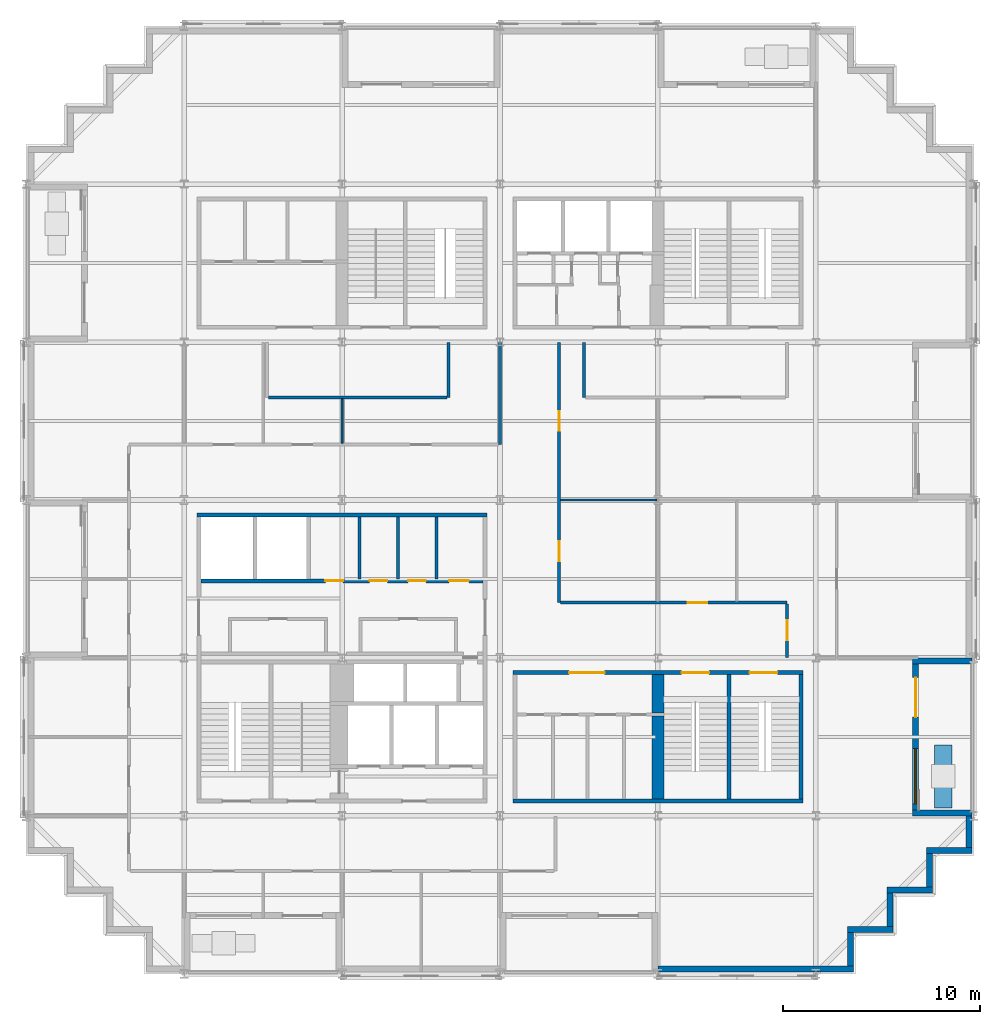
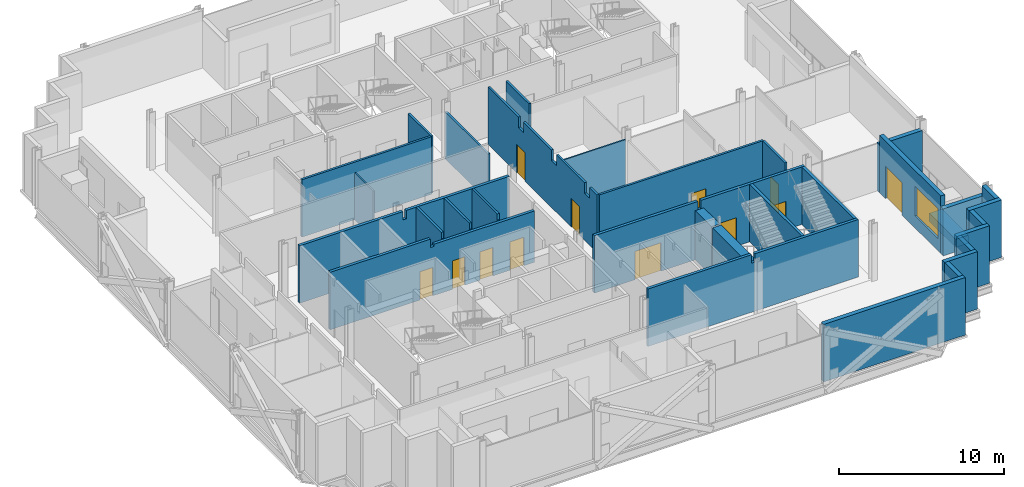
# One storey, part 8 of 15: 32 walls, 12 doors, 1 window, 13 openings.
"""IFC4 building model written with IfcOpenShell, lengths in metres."""

from ifc_helpers import new_model, si_unit, direction, frame, frame_2d, origin, place, context, subcontext, project, spatial, polyline, rectangle, outline, extrude, material, layer, layer_set, type_object, element, fill, save


model = new_model("IFC4")

# Units and contexts
model_context = context("Model", 3, precision=1e-05, world=origin(), true_north=direction((0.0, 1.0)))
body_context = subcontext(model_context, "Body", "Model", "MODEL_VIEW")
ifc_project = project(units=[si_unit("LENGTHUNIT", "METRE"), si_unit("AREAUNIT", "SQUARE_METRE"), si_unit("VOLUMEUNIT", "CUBIC_METRE"), si_unit("PLANEANGLEUNIT", "RADIAN"), si_unit("MASSUNIT", "GRAM", prefix="KILO")], contexts=[model_context])

# Site, building, storey
site_placement = place(None, origin())
site = spatial("IfcSite", under=ifc_project, at=site_placement, CompositionType="ELEMENT")
building_placement = place(site_placement, origin())
building = spatial("IfcBuilding", under=site, at=building_placement, Name="Immortelle Media Tower", CompositionType="ELEMENT")
storey_placement = place(building_placement, frame((0.0, 0.0, 78.800048828125)))
storey = spatial("IfcBuildingStorey", under=building, at=storey_placement, Name="L14", CompositionType="ELEMENT", Elevation=78.800048828125)

# Walls
ifc_material_1 = material(Name="Fire-rated gypsum board", Category="gypsum")
ifc_layer_1 = layer(ifc_material_1, 0.02490234375)
ifc_material_2 = material(Name="Steel ASTM A653 SS Gr 50 stud frame with mineral wool", Category="steel")
ifc_layer_2 = layer(ifc_material_2, 0.10009765625)
ifc_layer_3 = layer(ifc_material_1, 0.02490234375)
ifc_layer_set_1 = layer_set([ifc_layer_1, ifc_layer_2, ifc_layer_3], Name="Steel ASTM A653 SS Gr 50 stud frame with mineral wool")
wall_type_1 = type_object("IfcWallType", Name="Core partition 150", PredefinedType="PARTITIONING", material=ifc_layer_set_1)
for number, where, z_axis, x_axis, name in (
    (1, (16.875, 20.0, 0.0), (0.0, 0.0, 1.0), (0.0, 1.0, 0.0), "Core partition SW"),
    (2, (18.824951171875, 20.0, 0.0), (0.0, 0.0, 1.0), (0.0, 1.0, 0.0), "Core partition SW"),
    (3, (20.77490234375, 20.0, 0.0), (0.0, 0.0, 1.0), (0.0, 1.0, 0.0), "Core partition SW"),
):
    element("IfcWall", number, at=place(storey_placement, frame(where, z_axis=z_axis, x_axis=x_axis)), inside=storey, type_object=wall_type_1, Name=name, PredefinedType="PARTITIONING", context=body_context, shape_type="SweptSolid", body=[
        extrude(outline(polyline([(0.0, 0.0), (3.14990234375, 0.0), (3.14990234375, 4.25), (0.08154296875, 4.25), (0.08056640625, 3.7890625), (0.0, 3.7890625), (0.0, 0.0)])), frame((0.0, 0.074951171875, 0.0), z_axis=(0.0, -1.0, 0.0), x_axis=(1.0, 0.0, 0.0)), (0.0, 0.0, 1.0), 0.14990234375),
    ])
ifc_layer_4 = layer(ifc_material_1, 0.03759765625)
ifc_layer_5 = layer(ifc_material_2, 0.125)
ifc_layer_6 = layer(ifc_material_1, 0.03759765625)
ifc_layer_set_2 = layer_set([ifc_layer_4, ifc_layer_5, ifc_layer_6], Name="Steel ASTM A653 SS Gr 50 stud frame with mineral wool")
wall_type_2 = type_object("IfcWallType", Name="Core shaft wall 200", PredefinedType="PARTITIONING", material=ifc_layer_set_2)
wall_1_placement = place(storey_placement, frame((8.64990234375, 23.25, 0.0), z_axis=(0.0, 0.0, 1.0), x_axis=(1.0, 0.0, 0.0)))
element("IfcWall", 4, at=wall_1_placement, inside=storey, type_object=wall_type_2, Name="Core shaft wall SW", PredefinedType="PARTITIONING", context=body_context, shape_type="SweptSolid", body=[
    extrude(outline(polyline([(0.0, 0.0), (14.7001953125, 0.0), (14.699951171875, 4.25), (7.469482421875, 4.25), (7.468505859375, 3.6318359375), (7.2314453125, 3.6318359375), (7.23046875, 4.25), (0.0, 4.25), (0.0, 0.0)])), frame((0.0, 0.10009765625, 0.0), z_axis=(0.0, -1.0, 0.0), x_axis=(1.0, 0.0, 0.0)), (0.0, 0.0, 1.0), 0.199951171875),
])

# Wall, openings, doors
wall_2_placement = place(storey_placement, frame((8.85009765625, 19.89990234375, 0.0), z_axis=(0.0, 0.0, 1.0), x_axis=(1.0, 0.0, 0.0)))
wall_2 = element("IfcWall", 5, at=wall_2_placement, inside=storey, type_object=wall_type_2, Name="Core shaft wall SW", PredefinedType="PARTITIONING", context=body_context, shape_type="SweptSolid", body=[
    extrude(outline(polyline([(0.0, 0.0), (14.2998046875, 0.0), (14.300048828125, 3.7890625), (7.26953125, 3.7890625), (7.2685546875, 3.6318359375), (7.031494140625, 3.6318359375), (7.030517578125, 4.25), (0.0, 4.25), (0.0, 0.0)])), frame((0.0, 0.10009765625, 0.0), z_axis=(0.0, -1.0, 0.0), x_axis=(1.0, 0.0, 0.0)), (0.0, 0.0, 1.0), 0.199951171875),
])
opening_1_placement = place(wall_2_placement, frame((6.300048828125, 0.0, 0.0)))
opening_1 = element("IfcOpeningElement", 6, at=opening_1_placement, cuts=wall_2, Name="Opening N4-K035", PredefinedType="OPENING", context=body_context, shape_type="SweptSolid", body=[
    extrude(rectangle(XDim=0.89990234375, YDim=2.10009765625, at=frame_2d((0.449951171875, 1.050048828125))), frame((0.0, 0.10986328125, 0.0), z_axis=(0.0, -1.0, 0.0), x_axis=(1.0, 0.0, 0.0)), (0.0, 0.0, 1.0), 0.219970703125),
])
opening_2_placement = place(wall_2_placement, frame((8.550048828125, 0.0, 0.0)))
opening_2 = element("IfcOpeningElement", 7, at=opening_2_placement, cuts=wall_2, Name="Opening N4-K036", PredefinedType="OPENING", context=body_context, shape_type="SweptSolid", body=[
    extrude(rectangle(XDim=0.89990234375, YDim=2.10009765625, at=frame_2d((0.449951171875, 1.050048828125))), frame((0.0, 0.10986328125, 0.0), z_axis=(0.0, -1.0, 0.0), x_axis=(1.0, 0.0, 0.0)), (0.0, 0.0, 1.0), 0.219970703125),
])
opening_3_placement = place(wall_2_placement, frame((10.5, 0.0, 0.0)))
opening_3 = element("IfcOpeningElement", 8, at=opening_3_placement, cuts=wall_2, Name="Opening N4-K038", PredefinedType="OPENING", context=body_context, shape_type="SweptSolid", body=[
    extrude(rectangle(XDim=0.89990234375, YDim=2.10009765625, at=frame_2d((0.449951171875, 1.050048828125))), frame((0.0, 0.10986328125, 0.0), z_axis=(0.0, -1.0, 0.0), x_axis=(1.0, 0.0, 0.0)), (0.0, 0.0, 1.0), 0.219970703125),
])
opening_4_placement = place(wall_2_placement, frame((12.574951171875, 0.0, 0.0)))
opening_4 = element("IfcOpeningElement", 9, at=opening_4_placement, cuts=wall_2, Name="Opening N4-K039", PredefinedType="OPENING", context=body_context, shape_type="SweptSolid", body=[
    extrude(rectangle(XDim=1.0, YDim=2.10009765625, at=frame_2d((0.5, 1.050048828125))), frame((0.0, 0.10986328125, 0.0), z_axis=(0.0, -1.0, 0.0), x_axis=(1.0, 0.0, 0.0)), (0.0, 0.0, 1.0), 0.219970703125),
])
ifc_material_3 = material(Name="Timber", Category="wood")
door_type_1 = type_object("IfcDoorType", Name="Accessible toilet door 1000 x 2100", OperationType="NOTDEFINED", PredefinedType="NOTDEFINED", material=ifc_material_3)
door_1_placement = place(opening_4_placement, origin())
door_1 = element("IfcDoor", 10, at=door_1_placement, inside=storey, type_object=door_type_1, Name="Accessible toilet N4-K039", OperationType="SINGLE_SWING_LEFT", OverallHeight=2.10009765625, OverallWidth=1.0, PredefinedType="NOTDEFINED", context=body_context, shape_type="SweptSolid", body=[
    extrude(rectangle(XDim=1.0, YDim=2.10009765625, at=frame_2d((0.5, 1.050048828125))), frame((0.0, 0.02490234375, 0.0), z_axis=(0.0, -1.0, 0.0), x_axis=(1.0, 0.0, 0.0)), (0.0, 0.0, 1.0), 0.050048828125),
])
fill(opening_4, door_1)
door_type_2 = type_object("IfcDoorType", Name="Room door 900 x 2100", OperationType="NOTDEFINED", PredefinedType="NOTDEFINED", material=ifc_material_3)
door_2_placement = place(opening_1_placement, origin())
door_2 = element("IfcDoor", 11, at=door_2_placement, inside=storey, type_object=door_type_2, Name="Room N4-K035", OperationType="SINGLE_SWING_RIGHT", OverallHeight=2.10009765625, OverallWidth=0.89990234375, PredefinedType="NOTDEFINED", context=body_context, shape_type="SweptSolid", body=[
    extrude(rectangle(XDim=0.89990234375, YDim=2.10009765625, at=frame_2d((0.449951171875, 1.050048828125))), frame((0.0, 0.02490234375, 0.0), z_axis=(0.0, -1.0, 0.0), x_axis=(1.0, 0.0, 0.0)), (0.0, 0.0, 1.0), 0.050048828125),
])
fill(opening_1, door_2)
door_type_3 = type_object("IfcDoorType", Name="Toilet door 900 x 2100", OperationType="NOTDEFINED", PredefinedType="NOTDEFINED", material=ifc_material_3)
door_3_placement = place(opening_2_placement, origin())
door_3 = element("IfcDoor", 12, at=door_3_placement, inside=storey, type_object=door_type_3, Name="Toilet N4-K036", OperationType="SINGLE_SWING_RIGHT", OverallHeight=2.10009765625, OverallWidth=0.89990234375, PredefinedType="NOTDEFINED", context=body_context, shape_type="SweptSolid", body=[
    extrude(rectangle(XDim=0.89990234375, YDim=2.10009765625, at=frame_2d((0.449951171875, 1.050048828125))), frame((0.0, 0.02490234375, 0.0), z_axis=(0.0, -1.0, 0.0), x_axis=(1.0, 0.0, 0.0)), (0.0, 0.0, 1.0), 0.050048828125),
])
fill(opening_2, door_3)
door_4_placement = place(opening_3_placement, origin())
door_4 = element("IfcDoor", 13, at=door_4_placement, inside=storey, type_object=door_type_3, Name="Toilet N4-K038", OperationType="SINGLE_SWING_LEFT", OverallHeight=2.10009765625, OverallWidth=0.89990234375, PredefinedType="NOTDEFINED", context=body_context, shape_type="SweptSolid", body=[
    extrude(rectangle(XDim=0.89990234375, YDim=2.10009765625, at=frame_2d((0.449951171875, 1.050048828125))), frame((0.0, 0.02490234375, 0.0), z_axis=(0.0, -1.0, 0.0), x_axis=(1.0, 0.0, 0.0)), (0.0, 0.0, 1.0), 0.050048828125),
])
fill(opening_3, door_4)

# Wall, opening, door
ifc_layer_7 = layer(ifc_material_1, 0.012451171875)
ifc_layer_8 = layer(ifc_material_2, 0.125)
ifc_layer_9 = layer(ifc_material_1, 0.012451171875)
ifc_layer_set_3 = layer_set([ifc_layer_7, ifc_layer_8, ifc_layer_9], Name="Steel ASTM A653 SS Gr 50 stud frame with mineral wool")
wall_type_3 = type_object("IfcWallType", Name="Corridor wall 150", PredefinedType="PARTITIONING", material=ifc_layer_set_3)
wall_3_placement = place(storey_placement, frame((38.550048828125, 16.030029296875, 0.0), z_axis=(0.0, 0.0, 1.0), x_axis=(0.0, 1.0, 0.0)))
wall_3 = element("IfcWall", 14, at=wall_3_placement, inside=storey, type_object=wall_type_3, Name="Partition L14-015", PredefinedType="PARTITIONING", context=body_context, shape_type="SweptSolid", body=[
    extrude(rectangle(XDim=2.695068359375, YDim=0.14990234375, at=frame_2d((1.34765625, 0.0))), origin(), (0.0, 0.0, 1.0), 4.25),
])
opening_5_placement = place(wall_3_placement, frame((1.8701171875, 0.0, 0.0), z_axis=(0.0, 0.0, 1.0), x_axis=(-1.0, 0.0, 0.0)))
opening_5 = element("IfcOpeningElement", 15, at=opening_5_placement, cuts=wall_3, Name="Opening N4-F012", PredefinedType="OPENING", context=body_context, shape_type="SweptSolid", body=[
    extrude(rectangle(XDim=1.0, YDim=2.10009765625, at=frame_2d((0.5, 1.050048828125))), frame((0.0, 0.0849609375, 0.0), z_axis=(0.0, -1.0, 0.0), x_axis=(1.0, 0.0, 0.0)), (0.0, 0.0, 1.0), 0.169921875),
])
ifc_material_4 = material(Name="Timber veneered door leaf, galvanised steel frame ASTM A653", Category="steel")
door_type_4 = type_object("IfcDoorType", Name="Room door 1000 x 2100", OperationType="NOTDEFINED", PredefinedType="DOOR", material=ifc_material_4)
door_5_placement = place(opening_5_placement, origin())
door_5 = element("IfcDoor", 16, at=door_5_placement, inside=storey, type_object=door_type_4, Name="Door N4-F012", OperationType="SINGLE_SWING_RIGHT", OverallHeight=2.10009765625, OverallWidth=1.0, PredefinedType="DOOR", context=body_context, shape_type="SweptSolid", body=[
    extrude(rectangle(XDim=1.0, YDim=2.10009765625, at=frame_2d((0.5, 1.050048828125))), frame((0.0, 0.02490234375, 0.0), z_axis=(0.0, -1.0, 0.0), x_axis=(1.0, 0.0, 0.0)), (0.0, 0.0, 1.0), 0.050048828125),
])
fill(opening_5, door_5)

wall_4_placement = place(storey_placement, frame((27.074951171875, 18.800048828125, 0.0), z_axis=(0.0, 0.0, 1.0), x_axis=(1.0, 0.0, 0.0)))
wall_4 = element("IfcWall", 17, at=wall_4_placement, inside=storey, type_object=wall_type_3, Name="Partition L14-016", PredefinedType="PARTITIONING", context=body_context, shape_type="SweptSolid", body=[
    extrude(rectangle(XDim=11.47509765625, YDim=0.14990234375, at=frame_2d((5.737548828125, 0.0))), origin(), (0.0, 0.0, 1.0), 4.25),
])
opening_6_placement = place(wall_4_placement, frame((6.425048828125, 0.0, 0.0)))
opening_6 = element("IfcOpeningElement", 18, at=opening_6_placement, cuts=wall_4, Name="Opening N4-F011", PredefinedType="OPENING", context=body_context, shape_type="SweptSolid", body=[
    extrude(rectangle(XDim=1.0, YDim=2.10009765625, at=frame_2d((0.5, 1.050048828125))), frame((0.0, 0.0849609375, 0.0), z_axis=(0.0, -1.0, 0.0), x_axis=(1.0, 0.0, 0.0)), (0.0, 0.0, 1.0), 0.169921875),
])
door_6_placement = place(opening_6_placement, origin())
door_6 = element("IfcDoor", 19, at=door_6_placement, inside=storey, type_object=door_type_4, Name="Door N4-F011", OperationType="SINGLE_SWING_LEFT", OverallHeight=2.10009765625, OverallWidth=1.0, PredefinedType="DOOR", context=body_context, shape_type="SweptSolid", body=[
    extrude(rectangle(XDim=1.0, YDim=2.10009765625, at=frame_2d((0.5, 1.050048828125))), frame((0.0, 0.02490234375, 0.0), z_axis=(0.0, -1.0, 0.0), x_axis=(1.0, 0.0, 0.0)), (0.0, 0.0, 1.0), 0.050048828125),
])
fill(opening_6, door_6)

# Wall, openings, doors
wall_5_placement = place(storey_placement, frame((27.0, 18.800048828125, 0.0), z_axis=(0.0, 0.0, 1.0), x_axis=(0.0, 1.0, 0.0)))
wall_5 = element("IfcWall", 20, at=wall_5_placement, inside=storey, type_object=wall_type_3, Name="Partition L14-017", PredefinedType="PARTITIONING", context=body_context, shape_type="SweptSolid", body=[
    extrude(outline(polyline([(0.0, 0.0), (13.169921875, 0.0), (13.169921875, 4.25), (9.5, 4.25), (9.498046875, 3.469970703125), (8.902099609375, 3.469970703125), (8.89990234375, 4.25), (5.5, 4.25), (5.498046875, 3.469970703125), (4.902099609375, 3.469970703125), (4.89990234375, 4.25), (1.5, 4.25), (1.498046875, 3.469970703125), (0.902099609375, 3.469970703125), (0.89990234375, 4.25), (0.0, 4.25), (0.0, 0.0)])), frame((0.0, 0.074951171875, 0.0), z_axis=(0.0, -1.0, 0.0), x_axis=(1.0, 0.0, 0.0)), (0.0, 0.0, 1.0), 0.14990234375),
])
opening_7_placement = place(wall_5_placement, frame((3.10009765625, 0.0, 0.0), z_axis=(0.0, 0.0, 1.0), x_axis=(-1.0, 0.0, 0.0)))
opening_7 = element("IfcOpeningElement", 21, at=opening_7_placement, cuts=wall_5, Name="Opening N4-F014", PredefinedType="OPENING", context=body_context, shape_type="SweptSolid", body=[
    extrude(rectangle(XDim=1.0, YDim=2.10009765625, at=frame_2d((0.5, 1.050048828125))), frame((0.0, 0.0849609375, 0.0), z_axis=(0.0, -1.0, 0.0), x_axis=(1.0, 0.0, 0.0)), (0.0, 0.0, 1.0), 0.169921875),
])
opening_8_placement = place(wall_5_placement, frame((9.699951171875, 0.0, 0.0), z_axis=(0.0, 0.0, 1.0), x_axis=(-1.0, 0.0, 0.0)))
opening_8 = element("IfcOpeningElement", 22, at=opening_8_placement, cuts=wall_5, Name="Opening N4-F015", PredefinedType="OPENING", context=body_context, shape_type="SweptSolid", body=[
    extrude(rectangle(XDim=1.0, YDim=2.10009765625, at=frame_2d((0.5, 1.050048828125))), frame((0.0, 0.0849609375, 0.0), z_axis=(0.0, -1.0, 0.0), x_axis=(1.0, 0.0, 0.0)), (0.0, 0.0, 1.0), 0.169921875),
])
door_7_placement = place(opening_7_placement, origin())
door_7 = element("IfcDoor", 23, at=door_7_placement, inside=storey, type_object=door_type_4, Name="Door N4-F014", OperationType="SINGLE_SWING_RIGHT", OverallHeight=2.10009765625, OverallWidth=1.0, PredefinedType="DOOR", context=body_context, shape_type="SweptSolid", body=[
    extrude(rectangle(XDim=1.0, YDim=2.10009765625, at=frame_2d((0.5, 1.050048828125))), frame((0.0, 0.02490234375, 0.0), z_axis=(0.0, -1.0, 0.0), x_axis=(1.0, 0.0, 0.0)), (0.0, 0.0, 1.0), 0.050048828125),
])
fill(opening_7, door_7)
door_8_placement = place(opening_8_placement, origin())
door_8 = element("IfcDoor", 24, at=door_8_placement, inside=storey, type_object=door_type_4, Name="Door N4-F015", OperationType="SINGLE_SWING_LEFT", OverallHeight=2.10009765625, OverallWidth=1.0, PredefinedType="DOOR", context=body_context, shape_type="SweptSolid", body=[
    extrude(rectangle(XDim=1.0, YDim=2.10009765625, at=frame_2d((0.5, 1.050048828125))), frame((0.0, 0.02490234375, 0.0), z_axis=(0.0, -1.0, 0.0), x_axis=(1.0, 0.0, 0.0)), (0.0, 0.0, 1.0), 0.050048828125),
])
fill(opening_8, door_8)

# Walls
wall_6_placement = place(storey_placement, frame((24.0, 26.800048828125, 0.0), z_axis=(0.0, 0.0, 1.0), x_axis=(0.0, 1.0, 0.0)))
element("IfcWall", 25, at=wall_6_placement, inside=storey, type_object=wall_type_3, Name="Partition L14-031", PredefinedType="PARTITIONING", context=body_context, shape_type="SweptSolid", body=[
    extrude(rectangle(XDim=5.169921875, YDim=0.14990234375, at=frame_2d((2.5849609375, 0.0))), origin(), (0.0, 0.0, 1.0), 3.469970703125),
])
wall_7_placement = place(storey_placement, frame((12.27490234375, 29.199951171875, 0.0), z_axis=(0.0, 0.0, 1.0), x_axis=(1.0, 0.0, 0.0)))
element("IfcWall", 26, at=wall_7_placement, inside=storey, type_object=wall_type_3, Name="Partition L14-032", PredefinedType="PARTITIONING", context=body_context, shape_type="SweptSolid", body=[
    extrude(rectangle(XDim=9.050048828125, YDim=0.14990234375, at=frame_2d((4.52490234375, 0.0))), origin(), (0.0, 0.0, 1.0), 4.25),
])
for number, where, z_axis, x_axis, name in (
    (27, (21.39990234375, 29.199951171875, 0.0), (0.0, 0.0, 1.0), (0.0, 1.0, 0.0), "Partition L14-034"),
    (28, (28.25, 29.199951171875, 0.0), (0.0, 0.0, 1.0), (0.0, 1.0, 0.0), "Partition L14-036"),
):
    element("IfcWall", number, at=place(storey_placement, frame(where, z_axis=z_axis, x_axis=x_axis)), inside=storey, type_object=wall_type_3, Name=name, PredefinedType="PARTITIONING", context=body_context, shape_type="SweptSolid", body=[
        extrude(rectangle(XDim=2.77001953125, YDim=0.14990234375, at=frame_2d((1.385009765625, 0.0))), origin(), (0.0, 0.0, 1.0), 4.25),
    ])
ifc_material_5 = material(Name="Pale aluminium cladding panel", Category="aluminium")
ifc_layer_10 = layer(ifc_material_5, 0.030029296875)
ifc_layer_11 = layer(ifc_material_2, 0.257568359375)
ifc_material_6 = material(Name="Moisture-resistant gypsum board", Category="gypsum")
ifc_layer_12 = layer(ifc_material_6, 0.012451171875)
ifc_layer_set_4 = layer_set([ifc_layer_10, ifc_layer_11, ifc_layer_12], Name="Steel ASTM A653 SS Gr 50 stud frame with mineral wool")
wall_type_4 = type_object("IfcWallType", Name="Facade wall 300", PredefinedType="SOLIDWALL", material=ifc_layer_set_4)
wall_8_placement = place(storey_placement, frame((32.0, 0.25, 0.0), z_axis=(0.0, 0.0, 1.0), x_axis=(1.0, 0.0, 0.0)))
element("IfcWall", 29, at=wall_8_placement, inside=storey, type_object=wall_type_4, Name="Facade wall L14 S7", PredefinedType="SOLIDWALL", context=body_context, shape_type="SweptSolid", body=[
    extrude(rectangle(XDim=9.89990234375, YDim=0.300048828125, at=frame_2d((4.949951171875, 0.0))), origin(), (0.0, 0.0, 1.0), 4.25),
])
wall_9_placement = place(storey_placement, frame((41.75, 0.39990234375, 0.0), z_axis=(0.0, 0.0, 1.0), x_axis=(0.0, 1.0, 0.0)))
element("IfcWall", 30, at=wall_9_placement, inside=storey, type_object=wall_type_4, Name="Facade wall L14 E8", PredefinedType="SOLIDWALL", context=body_context, shape_type="SweptSolid", body=[
    extrude(rectangle(XDim=1.7001953125, YDim=0.300048828125, at=frame_2d((0.85009765625, 0.0))), origin(), (0.0, 0.0, 1.0), 4.25),
])
wall_10_placement = place(storey_placement, frame((41.60009765625, 2.25, 0.0), z_axis=(0.0, 0.0, 1.0), x_axis=(1.0, 0.0, 0.0)))
element("IfcWall", 31, at=wall_10_placement, inside=storey, type_object=wall_type_4, Name="Facade wall L14 S9", PredefinedType="SOLIDWALL", context=body_context, shape_type="SweptSolid", body=[
    extrude(rectangle(XDim=2.2998046875, YDim=0.300048828125, at=frame_2d((1.14990234375, 0.0))), origin(), (0.0, 0.0, 1.0), 4.25),
])
wall_11_placement = place(storey_placement, frame((43.75, 2.39990234375, 0.0), z_axis=(0.0, 0.0, 1.0), x_axis=(0.0, 1.0, 0.0)))
element("IfcWall", 32, at=wall_11_placement, inside=storey, type_object=wall_type_4, Name="Facade wall L14 E10", PredefinedType="SOLIDWALL", context=body_context, shape_type="SweptSolid", body=[
    extrude(rectangle(XDim=1.7001953125, YDim=0.300048828125, at=frame_2d((0.85009765625, 0.0))), origin(), (0.0, 0.0, 1.0), 4.25),
])
wall_12_placement = place(storey_placement, frame((43.60009765625, 4.25, 0.0), z_axis=(0.0, 0.0, 1.0), x_axis=(1.0, 0.0, 0.0)))
element("IfcWall", 33, at=wall_12_placement, inside=storey, type_object=wall_type_4, Name="Facade wall L14 S11", PredefinedType="SOLIDWALL", context=body_context, shape_type="SweptSolid", body=[
    extrude(rectangle(XDim=2.2998046875, YDim=0.300048828125, at=frame_2d((1.14990234375, 0.0))), origin(), (0.0, 0.0, 1.0), 4.25),
])
wall_13_placement = place(storey_placement, frame((45.75, 4.39990234375, 0.0), z_axis=(0.0, 0.0, 1.0), x_axis=(0.0, 1.0, 0.0)))
element("IfcWall", 34, at=wall_13_placement, inside=storey, type_object=wall_type_4, Name="Facade wall L14 E12", PredefinedType="SOLIDWALL", context=body_context, shape_type="SweptSolid", body=[
    extrude(rectangle(XDim=1.7001953125, YDim=0.300048828125, at=frame_2d((0.85009765625, 0.0))), origin(), (0.0, 0.0, 1.0), 4.25),
])
wall_14_placement = place(storey_placement, frame((45.60009765625, 6.25, 0.0), z_axis=(0.0, 0.0, 1.0), x_axis=(1.0, 0.0, 0.0)))
element("IfcWall", 35, at=wall_14_placement, inside=storey, type_object=wall_type_4, Name="Facade wall L14 S13", PredefinedType="SOLIDWALL", context=body_context, shape_type="SweptSolid", body=[
    extrude(rectangle(XDim=2.2998046875, YDim=0.300048828125, at=frame_2d((1.14990234375, 0.0))), origin(), (0.0, 0.0, 1.0), 4.25),
])
wall_15_placement = place(storey_placement, frame((47.75, 6.39990234375, 0.0), z_axis=(0.0, 0.0, 1.0), x_axis=(0.0, 1.0, 0.0)))
element("IfcWall", 36, at=wall_15_placement, inside=storey, type_object=wall_type_4, Name="Facade wall L14 E14", PredefinedType="SOLIDWALL", context=body_context, shape_type="SweptSolid", body=[
    extrude(rectangle(XDim=1.60009765625, YDim=0.300048828125, at=frame_2d((0.800048828125, 0.0))), origin(), (0.0, 0.0, 1.0), 4.25),
])

# Wall, openings, door, window
wall_16_placement = place(storey_placement, frame((45.050048828125, 8.300048828125, 0.0), z_axis=(0.0, 0.0, 1.0), x_axis=(0.0, 1.0, 0.0)))
wall_16 = element("IfcWall", 37, at=wall_16_placement, inside=storey, type_object=wall_type_4, Name="Loggia wall L14 E14", PredefinedType="SOLIDWALL", context=body_context, shape_type="SweptSolid", body=[
    extrude(rectangle(XDim=7.39990234375, YDim=0.300048828125, at=frame_2d((3.699951171875, 0.0))), origin(), (0.0, 0.0, 1.0), 4.25),
])
opening_9_placement = place(wall_16_placement, frame((0.300048828125, 0.0, 0.89990234375)))
opening_9 = element("IfcOpeningElement", 38, at=opening_9_placement, cuts=wall_16, Name="Opening W1", PredefinedType="OPENING", context=body_context, shape_type="SweptSolid", body=[
    extrude(rectangle(XDim=2.800048828125, YDim=2.199951171875, at=frame_2d((1.39990234375, 1.10009765625))), frame((0.0, 0.159912109375, 0.0), z_axis=(0.0, -1.0, 0.0), x_axis=(1.0, 0.0, 0.0)), (0.0, 0.0, 1.0), 0.320068359375),
])
opening_10_placement = place(wall_16_placement, frame((4.699951171875, 0.0, 0.0)))
opening_10 = element("IfcOpeningElement", 39, at=opening_10_placement, cuts=wall_16, Name="Opening N4-E005", PredefinedType="OPENING", context=body_context, shape_type="SweptSolid", body=[
    extrude(rectangle(XDim=2.0, YDim=2.39990234375, at=frame_2d((1.0, 1.199951171875))), frame((0.0, 0.159912109375, 0.0), z_axis=(0.0, -1.0, 0.0), x_axis=(1.0, 0.0, 0.0)), (0.0, 0.0, 1.0), 0.320068359375),
])
ifc_material_7 = material(Name="Aluminium frame, glazed leaves", Category="aluminium")
door_type_5 = type_object("IfcDoorType", Name="Loggia door 2000 x 2400", OperationType="DOUBLE_DOOR_SINGLE_SWING", PredefinedType="DOOR", material=ifc_material_7)
door_9_placement = place(opening_10_placement, origin())
door_9 = element("IfcDoor", 40, at=door_9_placement, inside=storey, type_object=door_type_5, Name="Door N4-E005", OperationType="DOUBLE_DOOR_SINGLE_SWING", OverallHeight=2.39990234375, OverallWidth=2.0, PredefinedType="DOOR", context=body_context, shape_type="SweptSolid", body=[
    extrude(rectangle(XDim=2.0, YDim=2.39990234375, at=frame_2d((1.0, 1.199951171875))), frame((0.0, 0.02490234375, 0.0), z_axis=(0.0, -1.0, 0.0), x_axis=(1.0, 0.0, 0.0)), (0.0, 0.0, 1.0), 0.050048828125),
])
fill(opening_10, door_9)
ifc_material_8 = material(Name="Aluminium frame", Category="aluminium")
window_type = type_object("IfcWindowType", Name="Window 2800 x 2200", PartitioningType="SINGLE_PANEL", PredefinedType="WINDOW", material=ifc_material_8)
window_placement = place(opening_9_placement, origin())
window = element("IfcWindow", 41, at=window_placement, inside=storey, type_object=window_type, Name="Window L14 L14-R14-B0", OverallHeight=2.199951171875, OverallWidth=2.800048828125, PartitioningType="SINGLE_PANEL", PredefinedType="WINDOW", context=body_context, shape_type="SweptSolid", body=[
    extrude(rectangle(XDim=2.800048828125, YDim=2.199951171875, at=frame_2d((1.39990234375, 1.10009765625))), frame((0.0, 0.030029296875, 0.0), z_axis=(0.0, -1.0, 0.0), x_axis=(1.0, 0.0, 0.0)), (0.0, 0.0, 1.0), 0.06005859375),
])
fill(opening_9, window)

# Walls
wall_17_placement = place(storey_placement, frame((47.89990234375, 8.14990234375, 0.0), z_axis=(0.0, 0.0, 1.0), x_axis=(-1.0, 0.0, 0.0)))
element("IfcWall", 42, at=wall_17_placement, inside=storey, type_object=wall_type_4, Name="Loggia cheek wall L14 E", PredefinedType="SOLIDWALL", context=body_context, shape_type="SweptSolid", body=[
    extrude(rectangle(XDim=3.0, YDim=0.300048828125, at=frame_2d((1.5, 0.0))), origin(), (0.0, 0.0, 1.0), 3.468994140625),
])
wall_18_placement = place(storey_placement, frame((47.89990234375, 15.85009765625, 0.0), z_axis=(0.0, 0.0, 1.0), x_axis=(-1.0, 0.0, 0.0)))
element("IfcWall", 43, at=wall_18_placement, inside=storey, type_object=wall_type_4, Name="Loggia cheek wall L14 E", PredefinedType="SOLIDWALL", context=body_context, shape_type="SweptSolid", body=[
    extrude(rectangle(XDim=3.0, YDim=0.300048828125, at=frame_2d((1.5, 0.0))), origin(), (0.0, 0.0, 1.0), 3.555908203125),
])
ifc_material_9 = material(Name="Gypsum board", Category="gypsum")
ifc_layer_13 = layer(ifc_material_9, 0.012451171875)
ifc_layer_14 = layer(ifc_material_2, 0.074951171875)
ifc_layer_15 = layer(ifc_material_9, 0.012451171875)
ifc_layer_set_5 = layer_set([ifc_layer_13, ifc_layer_14, ifc_layer_15], Name="Steel ASTM A653 SS Gr 50 stud frame with mineral wool")
wall_type_5 = type_object("IfcWallType", Name="Partition 100", PredefinedType="PARTITIONING", material=ifc_layer_set_5)
wall_19_placement = place(storey_placement, frame((27.074951171875, 24.0, 0.0), z_axis=(0.0, 0.0, 1.0), x_axis=(1.0, 0.0, 0.0)))
element("IfcWall", 44, at=wall_19_placement, inside=storey, type_object=wall_type_5, Name="Partition L14-022", PredefinedType="PARTITIONING", context=body_context, shape_type="SweptSolid", body=[
    extrude(rectangle(XDim=4.875, YDim=0.10009765625, at=frame_2d((2.4375, 0.0))), origin(), (0.0, 0.0, 1.0), 3.469970703125),
])
wall_20_placement = place(storey_placement, frame((16.0, 26.875, 0.0), z_axis=(0.0, 0.0, 1.0), x_axis=(0.0, 1.0, 0.0)))
element("IfcWall", 45, at=wall_20_placement, inside=storey, type_object=wall_type_5, Name="Partition L14-030", PredefinedType="PARTITIONING", context=body_context, shape_type="SweptSolid", body=[
    extrude(rectangle(XDim=2.25, YDim=0.10009765625, at=frame_2d((1.125, 0.0))), origin(), (0.0, 0.0, 1.0), 3.469970703125),
])
ifc_layer_16 = layer(ifc_material_5, 0.0029296875)
ifc_material_10 = material(Name="Steel ASTM A572 Gr 50 planter shell", Category="steel")
ifc_layer_17 = layer(ifc_material_10, 0.011962890625)
ifc_material_11 = material(Name="Planting substrate", Category="soil")
ifc_layer_18 = layer(ifc_material_11, 0.873046875)
ifc_layer_19 = layer(ifc_material_10, 0.011962890625)
ifc_layer_set_6 = layer_set([ifc_layer_16, ifc_layer_17, ifc_layer_18, ifc_layer_19], Name="Steel ASTM A572 Gr 50 planter shell")
wall_type_6 = type_object("IfcWallType", Name="Planter wall 900", PredefinedType="SOLIDWALL", material=ifc_layer_set_6)
wall_21_placement = place(storey_placement, frame((46.449951171875, 8.39990234375, 0.0), z_axis=(0.0, 0.0, 1.0), x_axis=(0.0, 1.0, 0.0)))
element("IfcWall", 46, at=wall_21_placement, inside=storey, type_object=wall_type_6, Name="Planter L14 E0", PredefinedType="SOLIDWALL", context=body_context, shape_type="SweptSolid", body=[
    extrude(rectangle(XDim=3.2001953125, YDim=0.89990234375, at=frame_2d((1.60009765625, 0.0))), origin(), (0.0, 0.0, 1.0), 0.599853515625),
])
ifc_material_12 = material(Name="Concrete C60", Category="concrete")
ifc_layer_20 = layer(ifc_material_12, 0.199951171875)
ifc_layer_set_7 = layer_set([ifc_layer_20], Name="Concrete C60")
wall_type_7 = type_object("IfcWallType", Name="Stair shaft wall 200", PredefinedType="PARTITIONING", material=ifc_layer_set_7)
wall_22_placement = place(storey_placement, frame((24.64990234375, 8.75, 0.0), z_axis=(0.0, 0.0, 1.0), x_axis=(1.0, 0.0, 0.0)))
element("IfcWall", 47, at=wall_22_placement, inside=storey, type_object=wall_type_7, Name="Stair shaft wall SE", PredefinedType="PARTITIONING", context=body_context, shape_type="SweptSolid", body=[
    extrude(outline(polyline([(0.0, 0.0), (14.7001953125, 0.0), (14.699951171875, 4.25), (7.469482421875, 4.25), (7.468505859375, 3.6318359375), (7.2314453125, 3.6318359375), (7.23046875, 4.25), (0.0, 4.25), (0.0, 0.0)])), frame((0.0, 0.10009765625, 0.0), z_axis=(0.0, -1.0, 0.0), x_axis=(1.0, 0.0, 0.0)), (0.0, 0.0, 1.0), 0.199951171875),
])

# Wall, openings, doors
wall_23_placement = place(storey_placement, frame((24.64990234375, 15.25, 0.0), z_axis=(0.0, 0.0, 1.0), x_axis=(1.0, 0.0, 0.0)))
wall_23 = element("IfcWall", 48, at=wall_23_placement, inside=storey, type_object=wall_type_7, Name="Stair shaft wall SE", PredefinedType="PARTITIONING", context=body_context, shape_type="SweptSolid", body=[
    extrude(outline(polyline([(0.0, 0.0), (14.7001953125, 0.0), (14.699951171875, 4.25), (7.469482421875, 4.25), (7.468505859375, 3.6318359375), (7.2314453125, 3.6318359375), (7.23046875, 4.25), (0.0, 4.25), (0.0, 0.0)])), frame((0.0, 0.10009765625, 0.0), z_axis=(0.0, -1.0, 0.0), x_axis=(1.0, 0.0, 0.0)), (0.0, 0.0, 1.0), 0.199951171875),
])
opening_11_placement = place(wall_23_placement, frame((2.85009765625, 0.0, 0.0)))
opening_11 = element("IfcOpeningElement", 49, at=opening_11_placement, cuts=wall_23, Name="Opening N4-K017", PredefinedType="OPENING", context=body_context, shape_type="SweptSolid", body=[
    extrude(rectangle(XDim=1.800048828125, YDim=2.10009765625, at=frame_2d((0.89990234375, 1.050048828125))), frame((0.0, 0.10986328125, 0.0), z_axis=(0.0, -1.0, 0.0), x_axis=(1.0, 0.0, 0.0)), (0.0, 0.0, 1.0), 0.219970703125),
])
opening_12_placement = place(wall_23_placement, frame((9.949951171875, 0.0, 0.0), z_axis=(0.0, 0.0, 1.0), x_axis=(-1.0, 0.0, 0.0)))
opening_12 = element("IfcOpeningElement", 50, at=opening_12_placement, cuts=wall_23, Name="Opening N4-K019", PredefinedType="OPENING", context=body_context, shape_type="SweptSolid", body=[
    extrude(rectangle(XDim=1.39990234375, YDim=2.10009765625, at=frame_2d((0.699951171875, 1.050048828125))), frame((0.0, 0.10986328125, 0.0), z_axis=(0.0, -1.0, 0.0), x_axis=(1.0, 0.0, 0.0)), (0.0, 0.0, 1.0), 0.219970703125),
])
opening_13_placement = place(wall_23_placement, frame((13.39990234375, 0.0, 0.0), z_axis=(0.0, 0.0, 1.0), x_axis=(-1.0, 0.0, 0.0)))
opening_13 = element("IfcOpeningElement", 51, at=opening_13_placement, cuts=wall_23, Name="Opening N4-K020", PredefinedType="OPENING", context=body_context, shape_type="SweptSolid", body=[
    extrude(rectangle(XDim=1.39990234375, YDim=2.10009765625, at=frame_2d((0.699951171875, 1.050048828125))), frame((0.0, 0.10986328125, 0.0), z_axis=(0.0, -1.0, 0.0), x_axis=(1.0, 0.0, 0.0)), (0.0, 0.0, 1.0), 0.219970703125),
])
ifc_material_13 = material(Name="Galvanised steel door leaf and frame ASTM A653", Category="steel")
door_type_6 = type_object("IfcDoorType", Name="Lift lobby door 1800 x 2100", OperationType="DOUBLE_DOOR_SINGLE_SWING", PredefinedType="NOTDEFINED", material=ifc_material_13)
door_10_placement = place(opening_11_placement, origin())
door_10 = element("IfcDoor", 52, at=door_10_placement, inside=storey, type_object=door_type_6, Name="Lift lobby N4-K017", OperationType="DOUBLE_DOOR_SINGLE_SWING", OverallHeight=2.10009765625, OverallWidth=1.800048828125, PredefinedType="NOTDEFINED", context=body_context, shape_type="SweptSolid", body=[
    extrude(rectangle(XDim=1.800048828125, YDim=2.10009765625, at=frame_2d((0.89990234375, 1.050048828125))), frame((0.0, 0.02490234375, 0.0), z_axis=(0.0, -1.0, 0.0), x_axis=(1.0, 0.0, 0.0)), (0.0, 0.0, 1.0), 0.050048828125),
])
fill(opening_11, door_10)
door_type_7 = type_object("IfcDoorType", Name="Stair door 1400 x 2100", OperationType="DOUBLE_DOOR_SINGLE_SWING", PredefinedType="NOTDEFINED", material=ifc_material_13)
door_11_placement = place(opening_12_placement, origin())
door_11 = element("IfcDoor", 53, at=door_11_placement, inside=storey, type_object=door_type_7, Name="Stair N4-K019", OperationType="DOUBLE_DOOR_SINGLE_SWING", OverallHeight=2.10009765625, OverallWidth=1.39990234375, PredefinedType="NOTDEFINED", context=body_context, shape_type="SweptSolid", body=[
    extrude(rectangle(XDim=1.39990234375, YDim=2.10009765625, at=frame_2d((0.699951171875, 1.050048828125))), frame((0.0, 0.02490234375, 0.0), z_axis=(0.0, -1.0, 0.0), x_axis=(1.0, 0.0, 0.0)), (0.0, 0.0, 1.0), 0.050048828125),
])
fill(opening_12, door_11)
door_12_placement = place(opening_13_placement, origin())
door_12 = element("IfcDoor", 54, at=door_12_placement, inside=storey, type_object=door_type_7, Name="Stair N4-K020", OperationType="DOUBLE_DOOR_SINGLE_SWING", OverallHeight=2.10009765625, OverallWidth=1.39990234375, PredefinedType="NOTDEFINED", context=body_context, shape_type="SweptSolid", body=[
    extrude(rectangle(XDim=1.39990234375, YDim=2.10009765625, at=frame_2d((0.699951171875, 1.050048828125))), frame((0.0, 0.02490234375, 0.0), z_axis=(0.0, -1.0, 0.0), x_axis=(1.0, 0.0, 0.0)), (0.0, 0.0, 1.0), 0.050048828125),
])
fill(opening_13, door_12)

# Walls
for number, where, z_axis, x_axis, name in (
    (55, (35.60009765625, 8.85009765625, 0.0), (0.0, 0.0, 1.0), (0.0, 1.0, 0.0), "Stair shaft wall SE"),
    (56, (39.25, 8.85009765625, 0.0), (0.0, 0.0, 1.0), (0.0, 1.0, 0.0), "Stair shaft wall SE"),
):
    element("IfcWall", number, at=place(storey_placement, frame(where, z_axis=z_axis, x_axis=x_axis)), inside=storey, type_object=wall_type_7, Name=name, PredefinedType="PARTITIONING", context=body_context, shape_type="SweptSolid", body=[
        extrude(rectangle(XDim=6.2998046875, YDim=0.199951171875, at=frame_2d((3.14990234375, 0.0))), origin(), (0.0, 0.0, 1.0), 4.25),
    ])
ifc_layer_21 = layer(ifc_material_12, 0.60009765625)
ifc_layer_set_8 = layer_set([ifc_layer_21], Name="Concrete C60")
wall_type_8 = type_object("IfcWallType", Name="Stair shaft wall 600", PredefinedType="PARTITIONING", material=ifc_layer_set_8)
wall_24_placement = place(storey_placement, frame((32.0, 8.85009765625, 0.0), z_axis=(0.0, 0.0, 1.0), x_axis=(0.0, 1.0, 0.0)))
element("IfcWall", 57, at=wall_24_placement, inside=storey, type_object=wall_type_8, Name="Stair shaft wall SE", PredefinedType="PARTITIONING", context=body_context, shape_type="SweptSolid", body=[
    extrude(rectangle(XDim=4.199951171875, YDim=0.60009765625, at=frame_2d((2.10009765625, 0.0))), origin(), (0.0, 0.0, 1.0), 3.6318359375),
])
wall_25_placement = place(storey_placement, frame((32.0, 13.199951171875, 0.0), z_axis=(0.0, 0.0, 1.0), x_axis=(0.0, 1.0, 0.0)))
element("IfcWall", 58, at=wall_25_placement, inside=storey, type_object=wall_type_8, Name="Stair shaft wall SE", PredefinedType="PARTITIONING", context=body_context, shape_type="SweptSolid", body=[
    extrude(rectangle(XDim=1.949951171875, YDim=0.60009765625, at=frame_2d((0.97509765625, 0.0))), origin(), (0.0, 0.0, 1.0), 3.6318359375),
])

save(model, "model.ifc")
